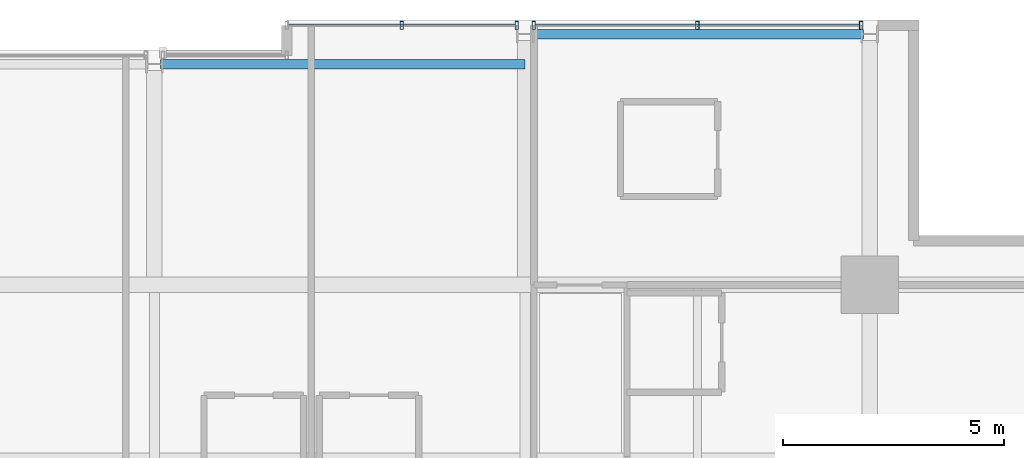
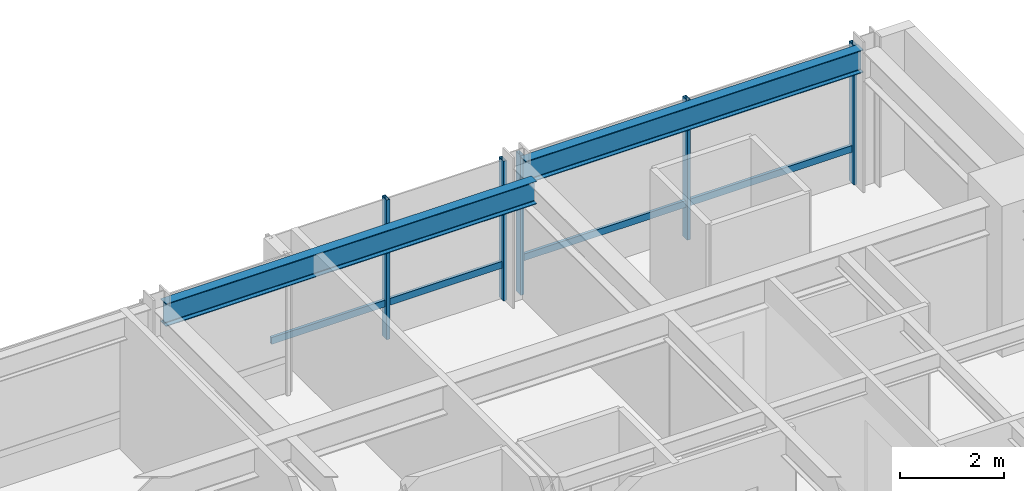
# One storey, part 23 of 32: 7 members, 2 beams, 2 elements without a shape of their own.
"""IFC4 building model written with IfcOpenShell, lengths in metres."""

from ifc_helpers import new_model, si_unit, direction, frame, origin, origin_2d, place, context, subcontext, project, spatial, hollow_rectangle, i_section, extrude, material, layer, layer_set, material_profile, profile_set, type_object, element, aggregate, save


model = new_model("IFC4")

# Units and contexts
model_context = context("Model", 3, precision=1e-05, world=origin(), true_north=direction((0.0, 1.0)))
body_context = subcontext(model_context, "Body", "Model", "MODEL_VIEW")
ifc_project = project(units=[si_unit("LENGTHUNIT", "METRE"), si_unit("AREAUNIT", "SQUARE_METRE"), si_unit("VOLUMEUNIT", "CUBIC_METRE"), si_unit("PLANEANGLEUNIT", "RADIAN"), si_unit("MASSUNIT", "GRAM", prefix="KILO")], contexts=[model_context])

# Site, building, storey
site_placement = place(None, origin())
site = spatial("IfcSite", under=ifc_project, at=site_placement, CompositionType="ELEMENT")
building_placement = place(site_placement, origin())
building = spatial("IfcBuilding", under=site, at=building_placement, Name="Drelvath Grand Hotel", CompositionType="ELEMENT")
storey_placement = place(building_placement, frame((0.0, 0.0, 189.449951171875)))
storey = spatial("IfcBuildingStorey", under=building, at=storey_placement, Name="L49", CompositionType="ELEMENT", Elevation=189.449951171875)

# Curtain wall, member
ifc_material_1 = material(Name="Brushed Pale-Silver Anodised Aluminium Frame", Category="aluminium")
ifc_layer = layer(ifc_material_1, 0.199951171875)
ifc_layer_set = layer_set([ifc_layer], Name="Brushed Pale-Silver Anodised Aluminium Frame")
curtain_wall_type = type_object("IfcCurtainWallType", Name="Stick Curtain Wall CW-04 Brushed Silver Upper-Mid", PredefinedType="NOTDEFINED", material=ifc_layer_set)
curtain_wall_1_placement = place(storey_placement, origin())
curtain_wall_1 = element("IfcCurtainWall", 1, at=curtain_wall_1_placement, inside=storey, type_object=curtain_wall_type, Name="L49 CW-04 Curtain Wall CW04-L49-NE1", PredefinedType="NOTDEFINED")
ifc_material_profile_1 = material_profile(ifc_material_1, hollow_rectangle(XDim=0.06494140625, YDim=0.159912109375, WallThickness=0.00390625, at=origin_2d()), Name="HSS160X65X4")
ifc_profile_set_1 = profile_set([ifc_material_profile_1], Name="Brushed Pale-Silver Anodised Aluminium Frame")
member_type_1 = type_object("IfcMemberType", Name="Curtain Wall Horizontal Transom CW-04 HSS160X65X4", PredefinedType="USERDEFINED", material=ifc_profile_set_1)
member_1_placement = place(storey_placement, frame((3.0400390625, 49.080078125, 0.822509765625), z_axis=(1.0, 0.0, 0.0), x_axis=(0.0, 1.0, 0.0)))
member_1 = element("IfcMember", 2, at=member_1_placement, type_object=member_type_1, Name="CW04-L49-NE1 Sill Transom", ObjectType="TRANSOM", PredefinedType="USERDEFINED", context=body_context, shape_type="SweptSolid", body=[
    extrude(hollow_rectangle(XDim=0.06494140625, YDim=0.159912109375, WallThickness=0.00390625, at=origin_2d()), origin(), (0.0, 0.0, 1.0), 5.128173828125),
])

curtain_wall_2_placement = place(storey_placement, origin())
curtain_wall_2 = element("IfcCurtainWall", 3, at=curtain_wall_2_placement, inside=storey, type_object=curtain_wall_type, Name="L49 CW-04 Curtain Wall CW04-L49-NE2", PredefinedType="NOTDEFINED")
member_2_placement = place(storey_placement, frame((8.631591796875, 49.080078125, 0.822509765625), z_axis=(1.0, 0.0, 0.0), x_axis=(0.0, 1.0, 0.0)))
member_2 = element("IfcMember", 4, at=member_2_placement, type_object=member_type_1, Name="CW04-L49-NE2 Sill Transom", ObjectType="TRANSOM", PredefinedType="USERDEFINED", context=body_context, shape_type="SweptSolid", body=[
    extrude(hollow_rectangle(XDim=0.06494140625, YDim=0.159912109375, WallThickness=0.00390625, at=origin_2d()), origin(), (0.0, 0.0, 1.0), 7.3369140625),
])

# Member
ifc_material_profile_2 = material_profile(ifc_material_1, hollow_rectangle(XDim=0.074951171875, YDim=0.179931640625, WallThickness=0.0048828125, at=origin_2d()), Name="HSS180X75X5")
ifc_profile_set_2 = profile_set([ifc_material_profile_2], Name="Brushed Pale-Silver Anodised Aluminium Frame")
member_type_2 = type_object("IfcMemberType", Name="Curtain Wall Vertical Mullion CW-04 HSS180X75X5", PredefinedType="MULLION", material=ifc_profile_set_2)
member_3_placement = place(storey_placement, frame((5.60400390625, 49.080078125, 0.0), z_axis=(0.0, 0.0, 1.0), x_axis=(1.0, 0.0, 0.0)))
member_3 = element("IfcMember", 5, at=member_3_placement, type_object=member_type_2, Name="CW04-L49-NE1 Mullion 2", PredefinedType="MULLION", context=body_context, shape_type="SweptSolid", body=[
    extrude(hollow_rectangle(XDim=0.074951171875, YDim=0.179931640625, WallThickness=0.0048828125, at=origin_2d()), origin(), (0.0, 0.0, 1.0), 3.2900390625),
])

member_4_placement = place(storey_placement, frame((8.208251953125, 49.080078125, 0.0), z_axis=(0.0, 0.0, 1.0), x_axis=(1.0, 0.0, 0.0)))
member_4 = element("IfcMember", 6, at=member_4_placement, type_object=member_type_2, Name="CW04-L49-NE1 Mullion 3", PredefinedType="MULLION", context=body_context, shape_type="SweptSolid", body=[
    extrude(hollow_rectangle(XDim=0.074951171875, YDim=0.179931640625, WallThickness=0.0048828125, at=origin_2d()), origin(), (0.0, 0.0, 1.0), 3.2900390625),
])

aggregate(curtain_wall_1, [member_3, member_4, member_1])

member_5_placement = place(storey_placement, frame((8.591796875, 49.080078125, 0.0), z_axis=(0.0, 0.0, 1.0), x_axis=(1.0, 0.0, 0.0)))
member_5 = element("IfcMember", 7, at=member_5_placement, type_object=member_type_2, Name="CW04-L49-NE2 Mullion 1", PredefinedType="MULLION", context=body_context, shape_type="SweptSolid", body=[
    extrude(hollow_rectangle(XDim=0.074951171875, YDim=0.179931640625, WallThickness=0.0048828125, at=origin_2d()), origin(), (0.0, 0.0, 1.0), 3.2900390625),
])

member_6_placement = place(storey_placement, frame((12.300048828125, 49.080078125, 0.0), z_axis=(0.0, 0.0, 1.0), x_axis=(1.0, 0.0, 0.0)))
member_6 = element("IfcMember", 8, at=member_6_placement, type_object=member_type_2, Name="CW04-L49-NE2 Mullion 2", PredefinedType="MULLION", context=body_context, shape_type="SweptSolid", body=[
    extrude(hollow_rectangle(XDim=0.074951171875, YDim=0.179931640625, WallThickness=0.0048828125, at=origin_2d()), origin(), (0.0, 0.0, 1.0), 3.2900390625),
])

member_7_placement = place(storey_placement, frame((16.00830078125, 49.080078125, 0.0), z_axis=(0.0, 0.0, 1.0), x_axis=(1.0, 0.0, 0.0)))
member_7 = element("IfcMember", 9, at=member_7_placement, type_object=member_type_2, Name="CW04-L49-NE2 Mullion 3", PredefinedType="MULLION", context=body_context, shape_type="SweptSolid", body=[
    extrude(hollow_rectangle(XDim=0.074951171875, YDim=0.179931640625, WallThickness=0.0048828125, at=origin_2d()), origin(), (0.0, 0.0, 1.0), 3.2900390625),
])

aggregate(curtain_wall_2, [member_5, member_6, member_7, member_2])

# Beams
ifc_material_2 = material(Name="Steel ASTM A992 Gr 50", Category="steel")
ifc_material_profile_3 = material_profile(ifc_material_2, i_section(OverallWidth=0.210205078125, OverallDepth=0.53662109375, WebThickness=0.010986328125, FlangeThickness=0.017333984375, FilletRadius=0.01806640625, at=origin_2d()), Name="W21X68")
ifc_profile_set_3 = profile_set([ifc_material_profile_3], Name="Steel ASTM A992 Gr 50")
beam_type = type_object("IfcBeamType", Name="Perimeter Spandrel Beam W21X68", PredefinedType="SPANDREL", material=ifc_profile_set_3)
beam_1_placement = place(storey_placement, frame((0.139892578125, 48.199951171875, 3.021728515625), z_axis=(1.0, 0.0, 0.0), x_axis=(0.0, 1.0, 0.0)))
element("IfcBeam", 10, at=beam_1_placement, inside=storey, type_object=beam_type, Name="L49 Spandrel North Mid E", PredefinedType="SPANDREL", context=body_context, shape_type="SweptSolid", body=[
    extrude(i_section(OverallWidth=0.210205078125, OverallDepth=0.53662109375, WebThickness=0.010986328125, FlangeThickness=0.017333984375, FilletRadius=0.01806640625, at=origin_2d()), origin(), (0.0, 0.0, 1.0), 8.260009765625),
])
beam_2_placement = place(storey_placement, frame((8.5400390625, 48.8798828125, 3.021728515625), z_axis=(1.0, 0.0, 0.0), x_axis=(0.0, 1.0, 0.0)))
element("IfcBeam", 11, at=beam_2_placement, inside=storey, type_object=beam_type, Name="L49 Spandrel North E", PredefinedType="SPANDREL", context=body_context, shape_type="SweptSolid", body=[
    extrude(i_section(OverallWidth=0.210205078125, OverallDepth=0.53662109375, WebThickness=0.010986328125, FlangeThickness=0.017333984375, FilletRadius=0.01806640625, at=origin_2d()), origin(), (0.0, 0.0, 1.0), 7.52001953125),
])

save(model, "model.ifc")
